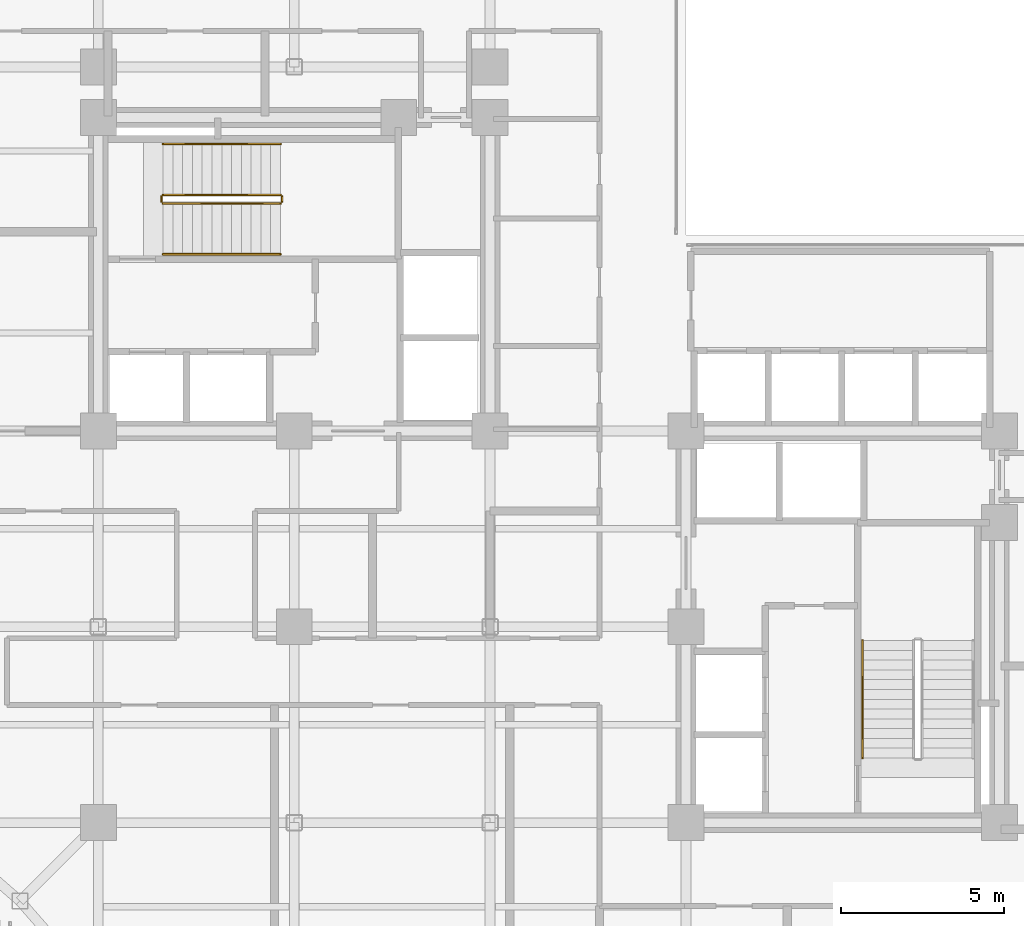
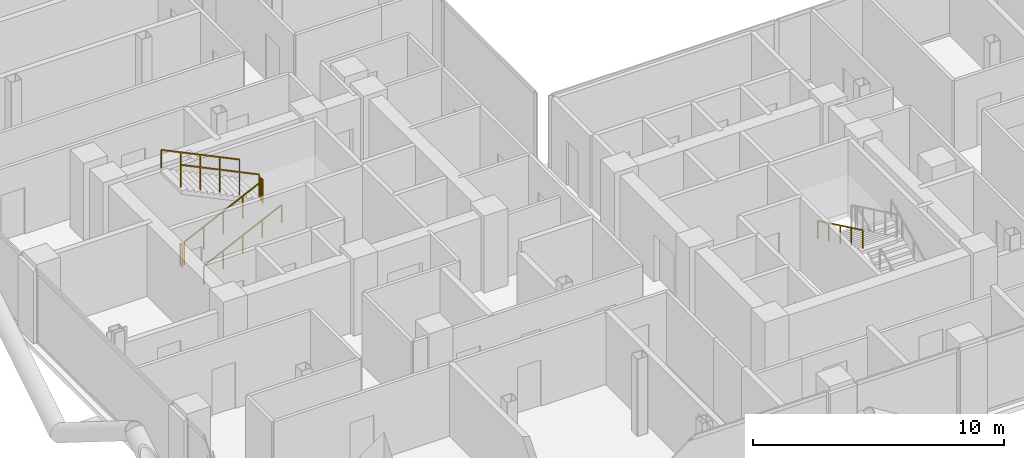
# One storey, part 26 of 28: 7 railings.
"""IFC4 building model written with IfcOpenShell, lengths in metres."""

from ifc_helpers import new_model, si_unit, direction, frame, origin, origin_2d, place, context, subcontext, project, spatial, rectangle, extrude, material, type_object, element, save


model = new_model("IFC4")

# Units and contexts
model_context = context("Model", 3, precision=1e-05, world=origin(), true_north=direction((0.0, 1.0)))
body_context = subcontext(model_context, "Body", "Model", "MODEL_VIEW")
ifc_project = project(units=[si_unit("LENGTHUNIT", "METRE"), si_unit("AREAUNIT", "SQUARE_METRE"), si_unit("VOLUMEUNIT", "CUBIC_METRE"), si_unit("PLANEANGLEUNIT", "RADIAN"), si_unit("MASSUNIT", "GRAM", prefix="KILO"), si_unit("THERMODYNAMICTEMPERATUREUNIT", "KELVIN"), si_unit("POWERUNIT", "WATT")], contexts=[model_context])

# Site, building, storey
site_placement = place(None, origin())
site = spatial("IfcSite", under=ifc_project, at=site_placement, CompositionType="ELEMENT")
building_placement = place(site_placement, origin())
building = spatial("IfcBuilding", under=site, at=building_placement, Name="Svarakhadi Broadcast Tower", CompositionType="ELEMENT")
storey_placement = place(building_placement, frame((0.0, 0.0, 134.39990234375)))
storey = spatial("IfcBuildingStorey", under=building, at=storey_placement, Name="L32", CompositionType="ELEMENT", Elevation=134.39990234375)

# Railings
ifc_material = material(Name="Anodised Bronze Aluminium AA 6063-T6", Category="aluminium")
railing_type_1 = type_object("IfcRailingType", Name="Guard_Stair_GR01", PredefinedType="GUARDRAIL", material=ifc_material)
railing_1_placement = place(storey_placement, frame((7.97998046875, 24.969970703125, 0.144287109375)))
element("IfcRailing", 1, at=railing_1_placement, inside=storey, type_object=railing_type_1, Name="L32 ST-01 stair guard 1", PredefinedType="GUARDRAIL", context=body_context, shape_type="SweptSolid", body=[
    extrude(rectangle(XDim=0.048095703125, YDim=0.048095703125, at=origin_2d()), frame((0.0, 0.0, 1.09619140625), z_axis=(0.901262522062, 0.0, 0.433273431364), x_axis=(0.0, 1.0, 0.0)), (0.0, 0.0, 1.0), 3.994384765625),
    extrude(rectangle(XDim=0.0419921875, YDim=0.0419921875, at=origin_2d()), origin(), (0.0, 0.0, 1.0), 1.072021484375),
    extrude(rectangle(XDim=0.0419921875, YDim=0.0419921875, at=origin_2d()), frame((0.89990234375, 0.0, 0.4326171875)), (0.0, 0.0, 1.0), 1.072021484375),
    extrude(rectangle(XDim=0.0419921875, YDim=0.0419921875, at=origin_2d()), frame((1.800048828125, 0.0, 0.865234375)), (0.0, 0.0, 1.0), 1.072021484375),
    extrude(rectangle(XDim=0.0419921875, YDim=0.0419921875, at=origin_2d()), frame((2.7001953125, 0.0, 1.298095703125)), (0.0, 0.0, 1.0), 1.072021484375),
    extrude(rectangle(XDim=0.0419921875, YDim=0.0419921875, at=origin_2d()), frame((3.60009765625, 0.0, 1.730712890625)), (0.0, 0.0, 1.0), 1.072021484375),
])
railing_2_placement = place(storey_placement, frame((11.6298828125, 25.02001953125, 1.875)))
element("IfcRailing", 2, at=railing_2_placement, inside=storey, type_object=railing_type_1, Name="L32 ST-01 stair guard 2", PredefinedType="GUARDRAIL", context=body_context, shape_type="SweptSolid", body=[
    extrude(rectangle(XDim=0.048095703125, YDim=0.048095703125, at=origin_2d()), frame((0.0, 0.0, 1.09619140625), z_axis=(0.0, 1.0, 0.0), x_axis=(-1.0, 0.0, 0.0)), (0.0, 0.0, 1.0), 0.159912109375),
    extrude(rectangle(XDim=0.0419921875, YDim=0.0419921875, at=origin_2d()), origin(), (0.0, 0.0, 1.0), 1.072021484375),
    extrude(rectangle(XDim=0.0419921875, YDim=0.0419921875, at=origin_2d()), frame((0.0, 0.159912109375, 0.0)), (0.0, 0.0, 1.0), 1.072021484375),
])
railing_3_placement = place(storey_placement, frame((11.580078125, 25.22998046875, 2.019287109375)))
element("IfcRailing", 3, at=railing_3_placement, inside=storey, type_object=railing_type_1, Name="L32 ST-01 stair guard 3", PredefinedType="GUARDRAIL", context=body_context, shape_type="SweptSolid", body=[
    extrude(rectangle(XDim=0.048095703125, YDim=0.048095703125, at=origin_2d()), frame((0.0, 0.0, 1.09619140625), z_axis=(-0.901262522062, 0.0, 0.433273431364), x_axis=(0.0, -1.0, 0.0)), (0.0, 0.0, 1.0), 3.994384765625),
    extrude(rectangle(XDim=0.0419921875, YDim=0.0419921875, at=origin_2d()), origin(), (0.0, 0.0, 1.0), 1.072021484375),
    extrude(rectangle(XDim=0.0419921875, YDim=0.0419921875, at=origin_2d()), frame((-0.89990234375, 0.0, 0.4326171875)), (0.0, 0.0, 1.0), 1.072021484375),
    extrude(rectangle(XDim=0.0419921875, YDim=0.0419921875, at=origin_2d()), frame((-1.800048828125, 0.0, 0.865234375)), (0.0, 0.0, 1.0), 1.072021484375),
    extrude(rectangle(XDim=0.0419921875, YDim=0.0419921875, at=origin_2d()), frame((-2.7001953125, 0.0, 1.298095703125)), (0.0, 0.0, 1.0), 1.072021484375),
    extrude(rectangle(XDim=0.0419921875, YDim=0.0419921875, at=origin_2d()), frame((-3.60009765625, 0.0, 1.730712890625)), (0.0, 0.0, 1.0), 1.072021484375),
])
railing_4_placement = place(storey_placement, frame((7.929931640625, 25.02001953125, 0.0)))
element("IfcRailing", 4, at=railing_4_placement, inside=storey, type_object=railing_type_1, Name="L32 ST-01 stair guard 4", PredefinedType="GUARDRAIL", context=body_context, shape_type="SweptSolid", body=[
    extrude(rectangle(XDim=0.048095703125, YDim=0.048095703125, at=origin_2d()), frame((0.0, 0.0, 1.09619140625), z_axis=(0.0, 1.0, 0.0), x_axis=(-1.0, 0.0, 0.0)), (0.0, 0.0, 1.0), 0.159912109375),
    extrude(rectangle(XDim=0.0419921875, YDim=0.0419921875, at=origin_2d()), origin(), (0.0, 0.0, 1.0), 1.072021484375),
    extrude(rectangle(XDim=0.0419921875, YDim=0.0419921875, at=origin_2d()), frame((0.0, 0.159912109375, 0.0)), (0.0, 0.0, 1.0), 1.072021484375),
])
railing_type_2 = type_object("IfcRailingType", Name="Handrail_Stair_HR01", PredefinedType="HANDRAIL", material=ifc_material)
railing_5_placement = place(storey_placement, frame((7.97998046875, 23.409912109375, 0.144287109375)))
element("IfcRailing", 5, at=railing_5_placement, inside=storey, type_object=railing_type_2, Name="L32 ST-01 stair handrail 1", PredefinedType="HANDRAIL", context=body_context, shape_type="SweptSolid", body=[
    extrude(rectangle(XDim=0.048095703125, YDim=0.048095703125, at=origin_2d()), frame((0.0, 0.0, 0.8759765625), z_axis=(0.901262522062, 0.0, 0.433273431364), x_axis=(0.0, 1.0, 0.0)), (0.0, 0.0, 1.0), 3.994384765625),
    extrude(rectangle(XDim=0.0419921875, YDim=0.0419921875, at=origin_2d()), origin(), (0.0, 0.0, 1.0), 0.851806640625),
    extrude(rectangle(XDim=0.0419921875, YDim=0.0419921875, at=origin_2d()), frame((0.89990234375, 0.0, 0.4326171875)), (0.0, 0.0, 1.0), 0.851806640625),
    extrude(rectangle(XDim=0.0419921875, YDim=0.0419921875, at=origin_2d()), frame((1.800048828125, 0.0, 0.865234375)), (0.0, 0.0, 1.0), 0.851806640625),
    extrude(rectangle(XDim=0.0419921875, YDim=0.0419921875, at=origin_2d()), frame((2.7001953125, 0.0, 1.298095703125)), (0.0, 0.0, 1.0), 0.851806640625),
    extrude(rectangle(XDim=0.0419921875, YDim=0.0419921875, at=origin_2d()), frame((3.60009765625, 0.0, 1.730712890625)), (0.0, 0.0, 1.0), 0.851806640625),
])
railing_6_placement = place(storey_placement, frame((11.580078125, 26.7900390625, 2.019287109375)))
element("IfcRailing", 6, at=railing_6_placement, inside=storey, type_object=railing_type_2, Name="L32 ST-01 stair handrail 2", PredefinedType="HANDRAIL", context=body_context, shape_type="SweptSolid", body=[
    extrude(rectangle(XDim=0.048095703125, YDim=0.048095703125, at=origin_2d()), frame((0.0, 0.0, 0.8759765625), z_axis=(-0.901262522062, 0.0, 0.433273431364), x_axis=(0.0, -1.0, 0.0)), (0.0, 0.0, 1.0), 3.994384765625),
    extrude(rectangle(XDim=0.0419921875, YDim=0.0419921875, at=origin_2d()), origin(), (0.0, 0.0, 1.0), 0.851806640625),
    extrude(rectangle(XDim=0.0419921875, YDim=0.0419921875, at=origin_2d()), frame((-0.89990234375, 0.0, 0.4326171875)), (0.0, 0.0, 1.0), 0.851806640625),
    extrude(rectangle(XDim=0.0419921875, YDim=0.0419921875, at=origin_2d()), frame((-1.800048828125, 0.0, 0.865234375)), (0.0, 0.0, 1.0), 0.851806640625),
    extrude(rectangle(XDim=0.0419921875, YDim=0.0419921875, at=origin_2d()), frame((-2.7001953125, 0.0, 1.298095703125)), (0.0, 0.0, 1.0), 0.851806640625),
    extrude(rectangle(XDim=0.0419921875, YDim=0.0419921875, at=origin_2d()), frame((-3.60009765625, 0.0, 1.730712890625)), (0.0, 0.0, 1.0), 0.851806640625),
])
railing_7_placement = place(storey_placement, frame((29.409912109375, 11.580078125, 2.019287109375)))
element("IfcRailing", 7, at=railing_7_placement, inside=storey, type_object=railing_type_2, Name="L32 ST-02 stair handrail 2", PredefinedType="HANDRAIL", context=body_context, shape_type="SweptSolid", body=[
    extrude(rectangle(XDim=0.048095703125, YDim=0.048095703125, at=origin_2d()), frame((0.0, 0.0, 0.8759765625), z_axis=(0.0, -0.901262522062, 0.433273431364), x_axis=(1.0, 0.0, 0.0)), (0.0, 0.0, 1.0), 3.994384765625),
    extrude(rectangle(XDim=0.0419921875, YDim=0.0419921875, at=origin_2d()), origin(), (0.0, 0.0, 1.0), 0.851806640625),
    extrude(rectangle(XDim=0.0419921875, YDim=0.0419921875, at=origin_2d()), frame((0.0, -0.89990234375, 0.4326171875)), (0.0, 0.0, 1.0), 0.851806640625),
    extrude(rectangle(XDim=0.0419921875, YDim=0.0419921875, at=origin_2d()), frame((0.0, -1.800048828125, 0.865234375)), (0.0, 0.0, 1.0), 0.851806640625),
    extrude(rectangle(XDim=0.0419921875, YDim=0.0419921875, at=origin_2d()), frame((0.0, -2.7001953125, 1.298095703125)), (0.0, 0.0, 1.0), 0.851806640625),
    extrude(rectangle(XDim=0.0419921875, YDim=0.0419921875, at=origin_2d()), frame((0.0, -3.60009765625, 1.730712890625)), (0.0, 0.0, 1.0), 0.851806640625),
])

save(model, "model.ifc")
